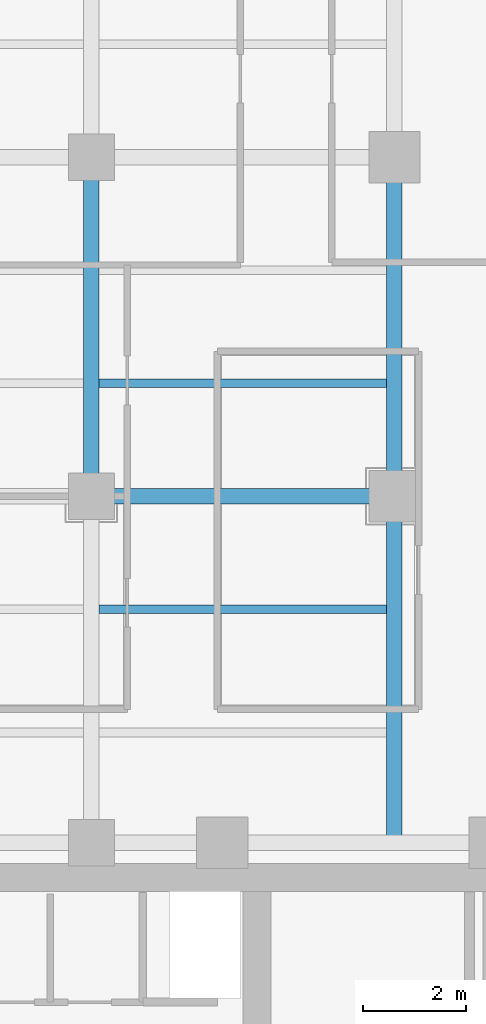
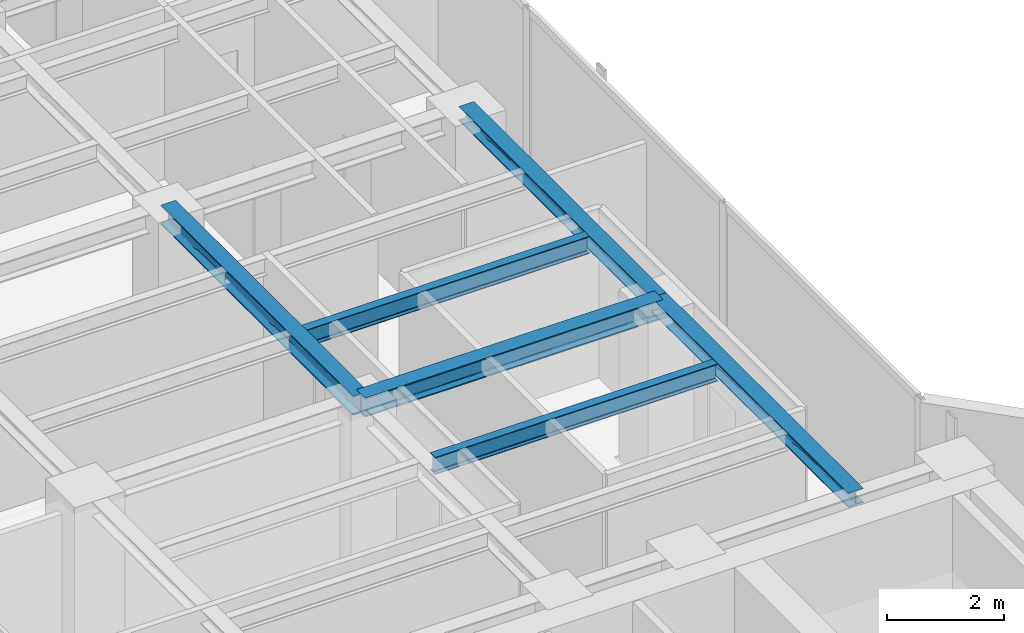
# One storey, part 9 of 25: 6 beams.
"""IFC4 building model written with IfcOpenShell, lengths in metres."""

import ifcopenshell
import ifcopenshell.guid

model = None  # the IFC model being written
_history = None  # IfcOwnerHistory: only IFC2X3 demands one
_inside = {}  # id of a spatial element -> (the spatial element, [elements in it])
_under = {}  # id of a project, library or spatial element -> (it, [spatial elements below it])
_declared = {}  # id of a project -> (the project, [libraries it declares])
_typed = {}  # id of a type object -> (the type object, [elements of that type])
_made_of = {}  # id of a material, layer set ... -> (it, [elements and type objects made of it])


def new_model(schema):
    """Start an empty IFC model of exactly this schema.

    Asked for "IFC4X3", IfcOpenShell would pick the latest addendum, in which some entities
    have other attributes; the version numbers below select the first issue.
    IFC2X3 requires an IfcOwnerHistory on every rooted entity: one is made here for all.
    """
    global model, _history
    if schema == "IFC4X3":
        model = ifcopenshell.file(schema_version=(4, 3, 0, 0))
    else:
        model = ifcopenshell.file(schema=schema)
    _inside.clear()
    _under.clear()
    _declared.clear()
    _typed.clear()
    _made_of.clear()
    _history = None
    if model.schema == "IFC2X3":
        org = make("IfcOrganization", Name="unknown")
        user = make(
            "IfcPersonAndOrganization",
            ThePerson=make("IfcPerson", FamilyName="unknown"),
            TheOrganization=org,
        )
        app = make(
            "IfcApplication",
            ApplicationDeveloper=org,
            Version="unknown",
            ApplicationFullName="unknown",
            ApplicationIdentifier="unknown",
        )
        _history = make(
            "IfcOwnerHistory",
            OwningUser=user,
            OwningApplication=app,
            ChangeAction="ADDED",
            CreationDate=0,
        )
    return model


def make(cls, **values):
    """One entity of the class cls with the attributes given. An attribute that is None is left unset."""
    return model.create_entity(
        cls, **{name: value for name, value in values.items() if value is not None}
    )


def rooted(cls, **values):
    """An entity with a GlobalId (a new one), such as an element, a storey or a relation."""
    return make(cls, GlobalId=ifcopenshell.guid.new(), OwnerHistory=_history, **values)


def si_unit(unit_type, name, prefix=None):
    """IfcSIUnit, for example si_unit("LENGTHUNIT", "METRE", prefix="MILLI")."""
    return make("IfcSIUnit", UnitType=unit_type, Prefix=prefix, Name=name)


def assignment(units):
    """IfcUnitAssignment: the units of a project."""
    return None if units is None else make("IfcUnitAssignment", Units=units)


def point(xyz):
    """IfcCartesianPoint."""
    return None if xyz is None else make("IfcCartesianPoint", Coordinates=xyz)


def direction(xyz):
    """IfcDirection."""
    return None if xyz is None else make("IfcDirection", DirectionRatios=xyz)


def frame(location, z_axis=None, x_axis=None):
    """IfcAxis2Placement3D, a coordinate frame: its origin and axes. An axis left out is left unset."""
    return make(
        "IfcAxis2Placement3D",
        Location=point(location),
        Axis=direction(z_axis),
        RefDirection=direction(x_axis),
    )


def frame_2d(location, x_axis=None):
    """IfcAxis2Placement2D, a coordinate frame in the plane: its origin and x axis."""
    return make(
        "IfcAxis2Placement2D", Location=point(location), RefDirection=direction(x_axis)
    )


def origin():
    """The frame at (0, 0, 0) with its axes left unset."""
    return frame((0.0, 0.0, 0.0))


def origin_2d():
    """The frame at (0, 0) in the plane with its x axis left unset."""
    return frame_2d((0.0, 0.0))


def place(relative_to, where):
    """IfcLocalPlacement: puts the frame where relative to a parent placement (None: the world)."""
    return make(
        "IfcLocalPlacement", PlacementRelTo=relative_to, RelativePlacement=where
    )


def context(
    kind, dimensions, precision=None, world=None, true_north=None, identifier=None
):
    """IfcGeometricRepresentationContext, for example the 3D "Model" context."""
    return make(
        "IfcGeometricRepresentationContext",
        ContextIdentifier=identifier,
        ContextType=kind,
        CoordinateSpaceDimension=dimensions,
        Precision=precision,
        WorldCoordinateSystem=world,
        TrueNorth=true_north,
    )


def subcontext(parent, identifier, kind, view, scale=None):
    """IfcGeometricRepresentationSubContext, for example "Body" below "Model"."""
    return make(
        "IfcGeometricRepresentationSubContext",
        ContextIdentifier=identifier,
        ContextType=kind,
        ParentContext=parent,
        TargetScale=scale,
        TargetView=view,
    )


def project(units=None, contexts=None):
    """IfcProject with its units and contexts."""
    return rooted(
        "IfcProject",
        Name="project",
        RepresentationContexts=contexts,
        UnitsInContext=assignment(units),
    )


def spatial(cls, under=None, at=None, **own):
    """A site, building, storey or space (cls), placed at a placement, below another one or the project."""
    s = rooted(cls, ObjectPlacement=at, **own)
    if under is not None:
        _under.setdefault(under.id(), (under, []))[1].append(s)
    return s


def profile(cls, at=None, kind="AREA", **sizes):
    """A parametric profile (cls). Its sizes go by their IFC names, for example OverallWidth=200.0."""
    return make(cls, ProfileType=kind, Position=at, **sizes)


def i_section(**sizes):
    """IfcIShapeProfileDef."""
    return profile("IfcIShapeProfileDef", **sizes)


def extrude(swept, where, along, depth):
    """IfcExtrudedAreaSolid: the profile swept, set in the frame where, extruded along a direction by depth."""
    return make(
        "IfcExtrudedAreaSolid",
        SweptArea=swept,
        Position=where,
        ExtrudedDirection=direction(along),
        Depth=depth,
    )


def shape(context_of_items, identifier, shape_type, items):
    """IfcShapeRepresentation: the items that make up one representation, for example the "Body"."""
    return make(
        "IfcShapeRepresentation",
        ContextOfItems=context_of_items,
        RepresentationIdentifier=identifier,
        RepresentationType=shape_type,
        Items=items,
    )


def material(Name=None, Category=None):
    """IfcMaterial."""
    return make("IfcMaterial", Name=Name, Category=Category)


def material_profile(
    of_material, cross_section, Name=None, Category=None, Priority=None
):
    """IfcMaterialProfile: a cross section and its material."""
    return make(
        "IfcMaterialProfile",
        Name=Name,
        Material=of_material,
        Profile=cross_section,
        Priority=Priority,
        Category=Category,
    )


def profile_set(profiles, Name=None, composite=None):
    """IfcMaterialProfileSet."""
    return make(
        "IfcMaterialProfileSet",
        Name=Name,
        MaterialProfiles=profiles,
        CompositeProfile=composite,
    )


def made_of(thing, what):
    """Note that an element or type object is made of a material, layer set ...; save() writes the relation."""
    if what is not None:
        _made_of.setdefault(what.id(), (what, []))[1].append(thing)
    return thing


def type_object(cls, material=None, **own):
    """A type object (cls), such as IfcWallType, which elements share."""
    return made_of(rooted(cls, **own), material)


def element(
    cls,
    number,
    at=None,
    inside=None,
    cuts=None,
    type_object=None,
    material=None,
    context=None,
    identifier="Body",
    shape_type=None,
    held_by="IfcProductDefinitionShape",
    body=None,
    shapes=None,
    **own,
):
    """One element of the class cls, such as IfcWall. Its Tag is "e" and its number.

    at: its placement. inside: the storey or other place that contains it. cuts: it is an
    opening in that element (IfcRelVoidsElement). A single representation is given by context,
    identifier, shape_type and body (its items); several are given by shapes. held_by: the class
    of the entity that holds the representations. save() writes the other relations.
    """
    e = rooted(cls, Tag="e%d" % number, ObjectPlacement=at, **own)
    if body is not None:
        shapes = [shape(context, identifier, shape_type, body)]
    if shapes is not None:
        e.Representation = make(held_by, Representations=shapes)
    if inside is not None:
        _inside.setdefault(inside.id(), (inside, []))[1].append(e)
    if cuts is not None:
        rooted(
            "IfcRelVoidsElement", RelatingBuildingElement=cuts, RelatedOpeningElement=e
        )
    if type_object is not None:
        _typed.setdefault(type_object.id(), (type_object, []))[1].append(e)
    return made_of(e, material)


def aggregate(whole, parts):
    """IfcRelAggregates: a whole, such as a stair, and the parts it consists of."""
    return rooted("IfcRelAggregates", RelatingObject=whole, RelatedObjects=parts)


def save(model, path):
    """Write the relations noted so far, then the file.

    IfcRelAggregates (storeys below a building ...), IfcRelContainedInSpatialStructure (elements
    in a storey), IfcRelDefinesByType, IfcRelAssociatesMaterial and IfcRelDeclares: one each for
    every whole, place, type object, material and project.
    """
    for whole, parts in _under.values():
        aggregate(whole, parts)
    for where, things in _inside.values():
        rooted(
            "IfcRelContainedInSpatialStructure",
            RelatedElements=things,
            RelatingStructure=where,
        )
    for kind, things in _typed.values():
        rooted("IfcRelDefinesByType", RelatedObjects=things, RelatingType=kind)
    for what, things in _made_of.values():
        rooted("IfcRelAssociatesMaterial", RelatedObjects=things, RelatingMaterial=what)
    for by, libraries in _declared.values():
        rooted("IfcRelDeclares", RelatingContext=by, RelatedDefinitions=libraries)
    model.write(path)


model = new_model("IFC4")

# Units and contexts
model_context = context("Model", 3, precision=1e-05, world=origin(), true_north=direction((0.0, 1.0)))
body_context = subcontext(model_context, "Body", "Model", "MODEL_VIEW")
ifc_project = project(units=[si_unit("LENGTHUNIT", "METRE"), si_unit("AREAUNIT", "SQUARE_METRE"), si_unit("VOLUMEUNIT", "CUBIC_METRE"), si_unit("PLANEANGLEUNIT", "RADIAN"), si_unit("MASSUNIT", "GRAM", prefix="KILO")], contexts=[model_context])

# Site, building, storey
site_placement = place(None, origin())
site = spatial("IfcSite", under=ifc_project, at=site_placement, CompositionType="ELEMENT")
building_placement = place(site_placement, origin())
building = spatial("IfcBuilding", under=site, at=building_placement, Name="Kolvaren Waterfront Exchange", CompositionType="ELEMENT")
storey_placement = place(building_placement, frame((0.0, 0.0, 204.5)))
storey = spatial("IfcBuildingStorey", under=building, at=storey_placement, Name="L52", CompositionType="ELEMENT", Elevation=204.5)

# Beams
ifc_material = material(Name="Steel S355", Category="steel")
ifc_material_profile_1 = material_profile(ifc_material, i_section(OverallWidth=0.300048828125, OverallDepth=0.300048828125, WebThickness=0.010986328125, FlangeThickness=0.01904296875, FilletRadius=0.027099609375, at=origin_2d()), Name="HEB300")
ifc_profile_set_1 = profile_set([ifc_material_profile_1], Name="Steel S355")
beam_type_1 = type_object("IfcBeamType", Name="STR-BM-HEB300", PredefinedType="SPANDREL", material=ifc_profile_set_1)
beam_1_placement = place(storey_placement, frame((18.800048828125, 24.449951171875, 3.409912109375), z_axis=(0.0, 1.0, 0.0), x_axis=(-1.0, 0.0, 0.0)))
element("IfcBeam", 1, at=beam_1_placement, inside=storey, type_object=beam_type_1, Name="L52 north-arm edge beam 1", PredefinedType="SPANDREL", context=body_context, shape_type="SweptSolid", body=[
    extrude(i_section(OverallWidth=0.300048828125, OverallDepth=0.300048828125, WebThickness=0.010986328125, FlangeThickness=0.01904296875, FilletRadius=0.027099609375, at=origin_2d()), origin(), (0.0, 0.0, 1.0), 6.75),
])
beam_2_placement = place(storey_placement, frame((18.800048828125, 31.199951171875, 3.409912109375), z_axis=(0.0, 1.0, 0.0), x_axis=(-1.0, 0.0, 0.0)))
element("IfcBeam", 2, at=beam_2_placement, inside=storey, type_object=beam_type_1, Name="L52 north-arm edge beam 2", PredefinedType="SPANDREL", context=body_context, shape_type="SweptSolid", body=[
    extrude(i_section(OverallWidth=0.300048828125, OverallDepth=0.300048828125, WebThickness=0.010986328125, FlangeThickness=0.01904296875, FilletRadius=0.027099609375, at=origin_2d()), origin(), (0.0, 0.0, 1.0), 6.60009765625),
])
ifc_material_profile_2 = material_profile(ifc_material, i_section(OverallWidth=0.300048828125, OverallDepth=0.39990234375, WebThickness=0.013427734375, FlangeThickness=0.02392578125, FilletRadius=0.027099609375, at=origin_2d()), Name="HEB400")
ifc_profile_set_2 = profile_set([ifc_material_profile_2], Name="Steel S355")
beam_type_2 = type_object("IfcBeamType", Name="STR-BM-HEB400", PredefinedType="BEAM", material=ifc_profile_set_2)
beam_3_placement = place(storey_placement, frame((12.89990234375, 31.199951171875, 3.360107421875), z_axis=(1.0, 0.0, 0.0), x_axis=(0.0, 1.0, 0.0)))
element("IfcBeam", 3, at=beam_3_placement, inside=storey, type_object=beam_type_2, Name="L52 north-arm girder 2B", PredefinedType="BEAM", context=body_context, shape_type="SweptSolid", body=[
    extrude(i_section(OverallWidth=0.300048828125, OverallDepth=0.39990234375, WebThickness=0.013427734375, FlangeThickness=0.02392578125, FilletRadius=0.027099609375, at=origin_2d()), origin(), (0.0, 0.0, 1.0), 5.900146484375),
])
beam_4_placement = place(storey_placement, frame((12.89990234375, 31.199951171875, 3.360107421875), z_axis=(0.0, 1.0, 0.0), x_axis=(-1.0, 0.0, 0.0)))
element("IfcBeam", 4, at=beam_4_placement, inside=storey, type_object=beam_type_2, Name="L52 north-arm edge beam 2", PredefinedType="BEAM", context=body_context, shape_type="SweptSolid", body=[
    extrude(i_section(OverallWidth=0.300048828125, OverallDepth=0.39990234375, WebThickness=0.013427734375, FlangeThickness=0.02392578125, FilletRadius=0.027099609375, at=origin_2d()), origin(), (0.0, 0.0, 1.0), 6.60009765625),
])
ifc_material_profile_3 = material_profile(ifc_material, i_section(OverallWidth=0.169921875, OverallDepth=0.360107421875, WebThickness=0.008056640625, FlangeThickness=0.0126953125, FilletRadius=0.01806640625, at=origin_2d()), Name="IPE360")
ifc_profile_set_3 = profile_set([ifc_material_profile_3], Name="Steel S355")
beam_type_3 = type_object("IfcBeamType", Name="STR-BM-IPE360", PredefinedType="JOIST", material=ifc_profile_set_3)
for number, where, z_axis, x_axis, name in (
    (5, (13.052001953125, 29.0, 3.3798828125), (1.0, 0.0, 0.0), (0.0, 1.0, 0.0), "L52 north-arm composite joist 2B"),
    (6, (13.052001953125, 33.39990234375, 3.3798828125), (1.0, 0.0, 0.0), (0.0, 1.0, 0.0), "L52 north-arm composite joist 3B"),
):
    element("IfcBeam", number, at=place(storey_placement, frame(where, z_axis=z_axis, x_axis=x_axis)), inside=storey, type_object=beam_type_3, Name=name, PredefinedType="JOIST", context=body_context, shape_type="SweptSolid", body=[
        extrude(i_section(OverallWidth=0.169921875, OverallDepth=0.360107421875, WebThickness=0.008056640625, FlangeThickness=0.0126953125, FilletRadius=0.01806640625, at=origin_2d()), origin(), (0.0, 0.0, 1.0), 5.595947265625),
    ])

save(model, "model.ifc")
